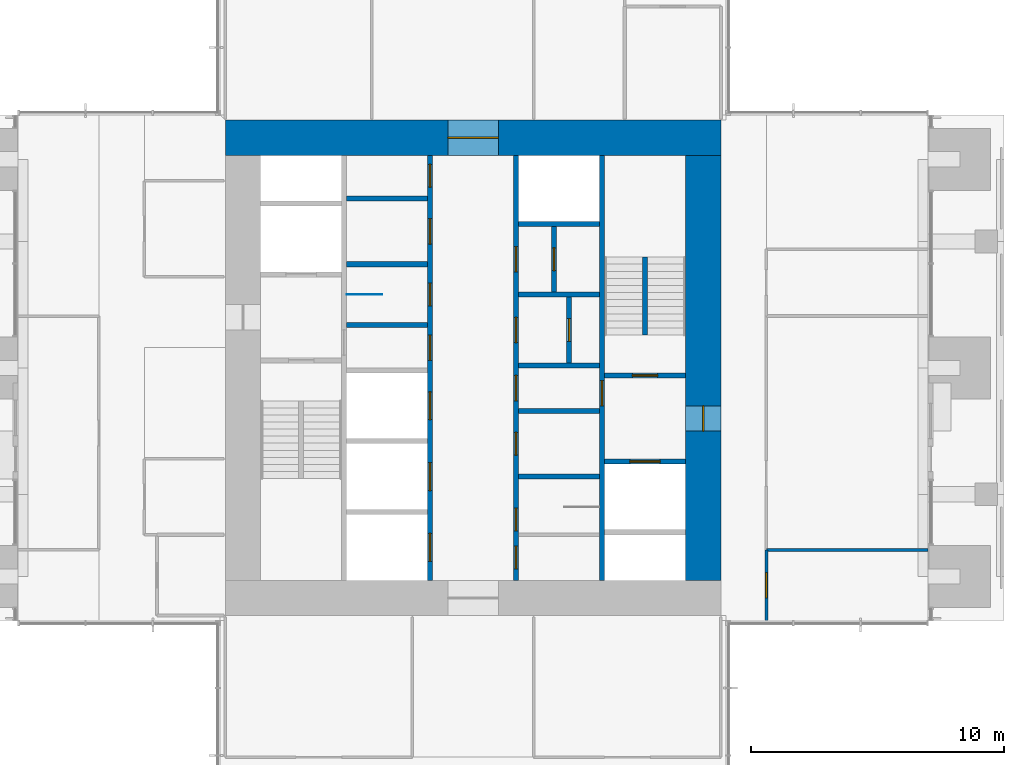
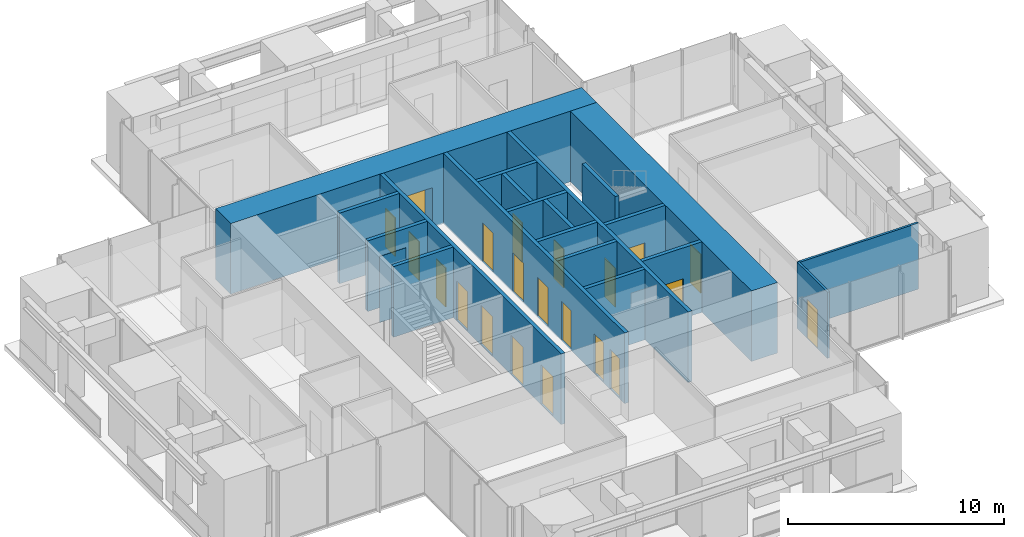
# One storey, part 13 of 17: 21 doors, 21 walls, 21 openings.
"""IFC4 building model written with IfcOpenShell, lengths in metres."""

from ifc_helpers import new_model, si_unit, direction, frame, frame_2d, origin, place, context, subcontext, project, spatial, rectangle, extrude, material, layer, layer_set, type_object, element, fill, save


model = new_model("IFC4")

# Units and contexts
model_context = context("Model", 3, precision=1e-05, world=origin(), true_north=direction((0.0, 1.0)))
body_context = subcontext(model_context, "Body", "Model", "MODEL_VIEW")
ifc_project = project(units=[si_unit("LENGTHUNIT", "METRE"), si_unit("AREAUNIT", "SQUARE_METRE"), si_unit("VOLUMEUNIT", "CUBIC_METRE"), si_unit("PLANEANGLEUNIT", "RADIAN"), si_unit("MASSUNIT", "GRAM", prefix="KILO")], contexts=[model_context])

# Site, building, storey
site_placement = place(None, origin())
site = spatial("IfcSite", under=ifc_project, at=site_placement, CompositionType="ELEMENT")
building_placement = place(site_placement, origin())
building = spatial("IfcBuilding", under=site, at=building_placement, Name="Svetlomir Tower", CompositionType="ELEMENT")
storey_placement = place(building_placement, frame((0.0, 0.0, 210.5)))
storey = spatial("IfcBuildingStorey", under=building, at=storey_placement, Name="L50", CompositionType="ELEMENT", Elevation=210.5)

# Wall, openings, doors
ifc_material_1 = material(Name="Concrete C60/75", Category="concrete")
ifc_layer_1 = layer(ifc_material_1, 0.199951171875)
ifc_layer_set_1 = layer_set([ifc_layer_1], Name="Concrete C60/75")
wall_type_1 = type_object("IfcWallType", Name="CORE INNER WALL 200", PredefinedType="SHEAR", material=ifc_layer_set_1)
wall_1_placement = place(storey_placement, frame((19.300048828125, 12.60009765625, -0.050048828125), z_axis=(0.0, 0.0, 1.0), x_axis=(0.0, 1.0, 0.0)))
wall_1 = element("IfcWall", 1, at=wall_1_placement, inside=storey, type_object=wall_type_1, Name="Core inner wall 19.3 L50", PredefinedType="SHEAR", context=body_context, shape_type="SweptSolid", body=[
    extrude(rectangle(XDim=16.7998046875, YDim=0.199951171875, at=frame_2d((8.39990234375, 0.0))), origin(), (0.0, 0.0, 1.0), 4.0),
])
opening_1_placement = place(wall_1_placement, frame((8.699951171875, 0.0, 0.050048828125)))
opening_1 = element("IfcOpeningElement", 2, at=opening_1_placement, cuts=wall_1, Name="Opening DC", PredefinedType="OPENING", context=body_context, shape_type="SweptSolid", body=[
    extrude(rectangle(XDim=1.0, YDim=2.199951171875, at=frame_2d((0.5, 1.10009765625))), frame((0.0, 0.10986328125, 0.0), z_axis=(0.0, -1.0, 0.0), x_axis=(1.0, 0.0, 0.0)), (0.0, 0.0, 1.0), 0.219970703125),
])
opening_2_placement = place(wall_1_placement, frame((10.85009765625, 0.0, 0.050048828125)))
opening_2 = element("IfcOpeningElement", 3, at=opening_2_placement, cuts=wall_1, Name="Opening DW", PredefinedType="OPENING", context=body_context, shape_type="SweptSolid", body=[
    extrude(rectangle(XDim=0.89990234375, YDim=2.199951171875, at=frame_2d((0.449951171875, 1.10009765625))), frame((0.0, 0.10986328125, 0.0), z_axis=(0.0, -1.0, 0.0), x_axis=(1.0, 0.0, 0.0)), (0.0, 0.0, 1.0), 0.219970703125),
])
opening_3_placement = place(wall_1_placement, frame((13.300048828125, 0.0, 0.050048828125)))
opening_3 = element("IfcOpeningElement", 4, at=opening_3_placement, cuts=wall_1, Name="Opening DC", PredefinedType="OPENING", context=body_context, shape_type="SweptSolid", body=[
    extrude(rectangle(XDim=1.0, YDim=2.199951171875, at=frame_2d((0.5, 1.10009765625))), frame((0.0, 0.10986328125, 0.0), z_axis=(0.0, -1.0, 0.0), x_axis=(1.0, 0.0, 0.0)), (0.0, 0.0, 1.0), 0.219970703125),
])
opening_4_placement = place(wall_1_placement, frame((15.550048828125, 0.0, 0.050048828125)))
opening_4 = element("IfcOpeningElement", 5, at=opening_4_placement, cuts=wall_1, Name="Opening DW", PredefinedType="OPENING", context=body_context, shape_type="SweptSolid", body=[
    extrude(rectangle(XDim=0.89990234375, YDim=2.199951171875, at=frame_2d((0.449951171875, 1.10009765625))), frame((0.0, 0.10986328125, 0.0), z_axis=(0.0, -1.0, 0.0), x_axis=(1.0, 0.0, 0.0)), (0.0, 0.0, 1.0), 0.219970703125),
])
opening_5_placement = place(wall_1_placement, frame((0.75, 0.0, 0.050048828125)))
opening_5 = element("IfcOpeningElement", 6, at=opening_5_placement, cuts=wall_1, Name="Opening LD", PredefinedType="OPENING", context=body_context, shape_type="SweptSolid", body=[
    extrude(rectangle(XDim=1.10009765625, YDim=2.199951171875, at=frame_2d((0.550048828125, 1.10009765625))), frame((0.0, 0.10986328125, 0.0), z_axis=(0.0, -1.0, 0.0), x_axis=(1.0, 0.0, 0.0)), (0.0, 0.0, 1.0), 0.219970703125),
])
opening_6_placement = place(wall_1_placement, frame((3.550048828125, 0.0, 0.050048828125)))
opening_6 = element("IfcOpeningElement", 7, at=opening_6_placement, cuts=wall_1, Name="Opening LD", PredefinedType="OPENING", context=body_context, shape_type="SweptSolid", body=[
    extrude(rectangle(XDim=1.10009765625, YDim=2.199951171875, at=frame_2d((0.550048828125, 1.10009765625))), frame((0.0, 0.10986328125, 0.0), z_axis=(0.0, -1.0, 0.0), x_axis=(1.0, 0.0, 0.0)), (0.0, 0.0, 1.0), 0.219970703125),
])
opening_7_placement = place(wall_1_placement, frame((6.35009765625, 0.0, 0.050048828125)))
opening_7 = element("IfcOpeningElement", 8, at=opening_7_placement, cuts=wall_1, Name="Opening LD", PredefinedType="OPENING", context=body_context, shape_type="SweptSolid", body=[
    extrude(rectangle(XDim=1.10009765625, YDim=2.199951171875, at=frame_2d((0.550048828125, 1.10009765625))), frame((0.0, 0.10986328125, 0.0), z_axis=(0.0, -1.0, 0.0), x_axis=(1.0, 0.0, 0.0)), (0.0, 0.0, 1.0), 0.219970703125),
])
ifc_material_2 = material(Name="Timber fire door", Category="wood")
door_type_1 = type_object("IfcDoorType", Name="DOOR DC 1000x2200", OperationType="SINGLE_SWING_LEFT", PredefinedType="DOOR", material=ifc_material_2)
door_1_placement = place(opening_1_placement, origin())
door_1 = element("IfcDoor", 9, at=door_1_placement, inside=storey, type_object=door_type_1, Name="Core corridor west lobby door L50", OperationType="SINGLE_SWING_RIGHT", OverallHeight=2.199951171875, OverallWidth=1.0, PredefinedType="DOOR", context=body_context, shape_type="SweptSolid", body=[
    extrude(rectangle(XDim=1.0, YDim=2.199951171875, at=frame_2d((0.5, 1.10009765625))), frame((0.0, 0.02490234375, 0.0), z_axis=(0.0, -1.0, 0.0), x_axis=(1.0, 0.0, 0.0)), (0.0, 0.0, 1.0), 0.050048828125),
])
fill(opening_1, door_1)
door_2_placement = place(opening_3_placement, origin())
door_2 = element("IfcDoor", 10, at=door_2_placement, inside=storey, type_object=door_type_1, Name="Accessible WC door L50", OperationType="SINGLE_SWING_LEFT", OverallHeight=2.199951171875, OverallWidth=1.0, PredefinedType="DOOR", context=body_context, shape_type="SweptSolid", body=[
    extrude(rectangle(XDim=1.0, YDim=2.199951171875, at=frame_2d((0.5, 1.10009765625))), frame((0.0, 0.02490234375, 0.0), z_axis=(0.0, -1.0, 0.0), x_axis=(1.0, 0.0, 0.0)), (0.0, 0.0, 1.0), 0.050048828125),
])
fill(opening_3, door_2)
ifc_material_3 = material(Name="Timber fire door", Category="wood")
door_type_2 = type_object("IfcDoorType", Name="DOOR DW 900x2200", OperationType="SINGLE_SWING_LEFT", PredefinedType="DOOR", material=ifc_material_3)
door_3_placement = place(opening_2_placement, origin())
door_3 = element("IfcDoor", 11, at=door_3_placement, inside=storey, type_object=door_type_2, Name="Female WC door L50", OperationType="SINGLE_SWING_RIGHT", OverallHeight=2.199951171875, OverallWidth=0.89990234375, PredefinedType="DOOR", context=body_context, shape_type="SweptSolid", body=[
    extrude(rectangle(XDim=0.89990234375, YDim=2.199951171875, at=frame_2d((0.449951171875, 1.10009765625))), frame((0.0, 0.02490234375, 0.0), z_axis=(0.0, -1.0, 0.0), x_axis=(1.0, 0.0, 0.0)), (0.0, 0.0, 1.0), 0.050048828125),
])
fill(opening_2, door_3)
door_4_placement = place(opening_4_placement, origin())
door_4 = element("IfcDoor", 12, at=door_4_placement, inside=storey, type_object=door_type_2, Name="First aid room door L50", OperationType="SINGLE_SWING_RIGHT", OverallHeight=2.199951171875, OverallWidth=0.89990234375, PredefinedType="DOOR", context=body_context, shape_type="SweptSolid", body=[
    extrude(rectangle(XDim=0.89990234375, YDim=2.199951171875, at=frame_2d((0.449951171875, 1.10009765625))), frame((0.0, 0.02490234375, 0.0), z_axis=(0.0, -1.0, 0.0), x_axis=(1.0, 0.0, 0.0)), (0.0, 0.0, 1.0), 0.050048828125),
])
fill(opening_4, door_4)
ifc_material_4 = material(Name="Stainless steel landing door", Category="steel")
door_type_3 = type_object("IfcDoorType", Name="LIFT LANDING DOOR LD 1100x2200", OperationType="DOUBLE_DOOR_SLIDING", PredefinedType="DOOR", material=ifc_material_4)
door_5_placement = place(opening_5_placement, origin())
door_5 = element("IfcDoor", 13, at=door_5_placement, inside=storey, type_object=door_type_3, Name="Landing door lift LC1 L50", OperationType="DOUBLE_DOOR_SLIDING", OverallHeight=2.199951171875, OverallWidth=1.10009765625, PredefinedType="DOOR", context=body_context, shape_type="SweptSolid", body=[
    extrude(rectangle(XDim=1.10009765625, YDim=2.199951171875, at=frame_2d((0.550048828125, 1.10009765625))), frame((0.0, 0.02490234375, 0.0), z_axis=(0.0, -1.0, 0.0), x_axis=(1.0, 0.0, 0.0)), (0.0, 0.0, 1.0), 0.050048828125),
])
fill(opening_5, door_5)
door_6_placement = place(opening_6_placement, origin())
door_6 = element("IfcDoor", 14, at=door_6_placement, inside=storey, type_object=door_type_3, Name="Landing door lift LC2 L50", OperationType="DOUBLE_DOOR_SLIDING", OverallHeight=2.199951171875, OverallWidth=1.10009765625, PredefinedType="DOOR", context=body_context, shape_type="SweptSolid", body=[
    extrude(rectangle(XDim=1.10009765625, YDim=2.199951171875, at=frame_2d((0.550048828125, 1.10009765625))), frame((0.0, 0.02490234375, 0.0), z_axis=(0.0, -1.0, 0.0), x_axis=(1.0, 0.0, 0.0)), (0.0, 0.0, 1.0), 0.050048828125),
])
fill(opening_6, door_6)
door_7_placement = place(opening_7_placement, origin())
door_7 = element("IfcDoor", 15, at=door_7_placement, inside=storey, type_object=door_type_3, Name="Landing door lift LC3 L50", OperationType="DOUBLE_DOOR_SLIDING", OverallHeight=2.199951171875, OverallWidth=1.10009765625, PredefinedType="DOOR", context=body_context, shape_type="SweptSolid", body=[
    extrude(rectangle(XDim=1.10009765625, YDim=2.199951171875, at=frame_2d((0.550048828125, 1.10009765625))), frame((0.0, 0.02490234375, 0.0), z_axis=(0.0, -1.0, 0.0), x_axis=(1.0, 0.0, 0.0)), (0.0, 0.0, 1.0), 0.050048828125),
])
fill(opening_7, door_7)

wall_2_placement = place(storey_placement, frame((22.699951171875, 12.60009765625, -0.050048828125), z_axis=(0.0, 0.0, 1.0), x_axis=(0.0, 1.0, 0.0)))
wall_2 = element("IfcWall", 16, at=wall_2_placement, inside=storey, type_object=wall_type_1, Name="Core inner wall 22.7 L50", PredefinedType="SHEAR", context=body_context, shape_type="SweptSolid", body=[
    extrude(rectangle(XDim=16.7998046875, YDim=0.199951171875, at=frame_2d((8.39990234375, 0.0))), origin(), (0.0, 0.0, 1.0), 4.0),
])
opening_8_placement = place(wall_2_placement, frame((0.449951171875, 0.0, 0.050048828125)))
opening_8 = element("IfcOpeningElement", 17, at=opening_8_placement, cuts=wall_2, Name="Opening DW", PredefinedType="OPENING", context=body_context, shape_type="SweptSolid", body=[
    extrude(rectangle(XDim=0.89990234375, YDim=2.199951171875, at=frame_2d((0.449951171875, 1.10009765625))), frame((0.0, 0.10986328125, 0.0), z_axis=(0.0, -1.0, 0.0), x_axis=(1.0, 0.0, 0.0)), (0.0, 0.0, 1.0), 0.219970703125),
])
opening_9_placement = place(wall_2_placement, frame((7.10009765625, 0.0, 0.050048828125)))
opening_9 = element("IfcOpeningElement", 18, at=opening_9_placement, cuts=wall_2, Name="Opening DC", PredefinedType="OPENING", context=body_context, shape_type="SweptSolid", body=[
    extrude(rectangle(XDim=1.0, YDim=2.199951171875, at=frame_2d((0.5, 1.10009765625))), frame((0.0, 0.10986328125, 0.0), z_axis=(0.0, -1.0, 0.0), x_axis=(1.0, 0.0, 0.0)), (0.0, 0.0, 1.0), 0.219970703125),
])
opening_10_placement = place(wall_2_placement, frame((1.949951171875, 0.0, 0.050048828125)))
opening_10 = element("IfcOpeningElement", 19, at=opening_10_placement, cuts=wall_2, Name="Opening DW", PredefinedType="OPENING", context=body_context, shape_type="SweptSolid", body=[
    extrude(rectangle(XDim=0.89990234375, YDim=2.199951171875, at=frame_2d((0.449951171875, 1.10009765625))), frame((0.0, 0.10986328125, 0.0), z_axis=(0.0, -1.0, 0.0), x_axis=(1.0, 0.0, 0.0)), (0.0, 0.0, 1.0), 0.219970703125),
])
opening_11_placement = place(wall_2_placement, frame((4.949951171875, 0.0, 0.050048828125)))
opening_11 = element("IfcOpeningElement", 20, at=opening_11_placement, cuts=wall_2, Name="Opening DW", PredefinedType="OPENING", context=body_context, shape_type="SweptSolid", body=[
    extrude(rectangle(XDim=0.89990234375, YDim=2.199951171875, at=frame_2d((0.449951171875, 1.10009765625))), frame((0.0, 0.10986328125, 0.0), z_axis=(0.0, -1.0, 0.0), x_axis=(1.0, 0.0, 0.0)), (0.0, 0.0, 1.0), 0.219970703125),
])
opening_12_placement = place(wall_2_placement, frame((9.39990234375, 0.0, 0.050048828125)))
opening_12 = element("IfcOpeningElement", 21, at=opening_12_placement, cuts=wall_2, Name="Opening DC", PredefinedType="OPENING", context=body_context, shape_type="SweptSolid", body=[
    extrude(rectangle(XDim=1.0, YDim=2.199951171875, at=frame_2d((0.5, 1.10009765625))), frame((0.0, 0.10986328125, 0.0), z_axis=(0.0, -1.0, 0.0), x_axis=(1.0, 0.0, 0.0)), (0.0, 0.0, 1.0), 0.219970703125),
])
opening_13_placement = place(wall_2_placement, frame((12.199951171875, 0.0, 0.050048828125)))
opening_13 = element("IfcOpeningElement", 22, at=opening_13_placement, cuts=wall_2, Name="Opening DC", PredefinedType="OPENING", context=body_context, shape_type="SweptSolid", body=[
    extrude(rectangle(XDim=1.0, YDim=2.199951171875, at=frame_2d((0.5, 1.10009765625))), frame((0.0, 0.10986328125, 0.0), z_axis=(0.0, -1.0, 0.0), x_axis=(1.0, 0.0, 0.0)), (0.0, 0.0, 1.0), 0.219970703125),
])
door_8_placement = place(opening_9_placement, origin())
door_8 = element("IfcDoor", 23, at=door_8_placement, inside=storey, type_object=door_type_1, Name="Core corridor east lobby door L50", OperationType="SINGLE_SWING_LEFT", OverallHeight=2.199951171875, OverallWidth=1.0, PredefinedType="DOOR", context=body_context, shape_type="SweptSolid", body=[
    extrude(rectangle(XDim=1.0, YDim=2.199951171875, at=frame_2d((0.5, 1.10009765625))), frame((0.0, 0.02490234375, 0.0), z_axis=(0.0, -1.0, 0.0), x_axis=(1.0, 0.0, 0.0)), (0.0, 0.0, 1.0), 0.050048828125),
])
fill(opening_9, door_8)
door_9_placement = place(opening_12_placement, origin())
door_9 = element("IfcDoor", 24, at=door_9_placement, inside=storey, type_object=door_type_1, Name="Converted shaft BANK-E1 room door L50", OperationType="SINGLE_SWING_LEFT", OverallHeight=2.199951171875, OverallWidth=1.0, PredefinedType="DOOR", context=body_context, shape_type="SweptSolid", body=[
    extrude(rectangle(XDim=1.0, YDim=2.199951171875, at=frame_2d((0.5, 1.10009765625))), frame((0.0, 0.02490234375, 0.0), z_axis=(0.0, -1.0, 0.0), x_axis=(1.0, 0.0, 0.0)), (0.0, 0.0, 1.0), 0.050048828125),
])
fill(opening_12, door_9)
door_10_placement = place(opening_13_placement, origin())
door_10 = element("IfcDoor", 25, at=door_10_placement, inside=storey, type_object=door_type_1, Name="Converted shaft BANK-E2 room door L50", OperationType="SINGLE_SWING_LEFT", OverallHeight=2.199951171875, OverallWidth=1.0, PredefinedType="DOOR", context=body_context, shape_type="SweptSolid", body=[
    extrude(rectangle(XDim=1.0, YDim=2.199951171875, at=frame_2d((0.5, 1.10009765625))), frame((0.0, 0.02490234375, 0.0), z_axis=(0.0, -1.0, 0.0), x_axis=(1.0, 0.0, 0.0)), (0.0, 0.0, 1.0), 0.050048828125),
])
fill(opening_13, door_10)
door_11_placement = place(opening_8_placement, origin())
door_11 = element("IfcDoor", 26, at=door_11_placement, inside=storey, type_object=door_type_2, Name="Floor store door L50", OperationType="SINGLE_SWING_LEFT", OverallHeight=2.199951171875, OverallWidth=0.89990234375, PredefinedType="DOOR", context=body_context, shape_type="SweptSolid", body=[
    extrude(rectangle(XDim=0.89990234375, YDim=2.199951171875, at=frame_2d((0.449951171875, 1.10009765625))), frame((0.0, 0.02490234375, 0.0), z_axis=(0.0, -1.0, 0.0), x_axis=(1.0, 0.0, 0.0)), (0.0, 0.0, 1.0), 0.050048828125),
])
fill(opening_8, door_11)
door_12_placement = place(opening_10_placement, origin())
door_12 = element("IfcDoor", 27, at=door_12_placement, inside=storey, type_object=door_type_2, Name="Male WC door L50", OperationType="SINGLE_SWING_LEFT", OverallHeight=2.199951171875, OverallWidth=0.89990234375, PredefinedType="DOOR", context=body_context, shape_type="SweptSolid", body=[
    extrude(rectangle(XDim=0.89990234375, YDim=2.199951171875, at=frame_2d((0.449951171875, 1.10009765625))), frame((0.0, 0.02490234375, 0.0), z_axis=(0.0, -1.0, 0.0), x_axis=(1.0, 0.0, 0.0)), (0.0, 0.0, 1.0), 0.050048828125),
])
fill(opening_10, door_12)
door_13_placement = place(opening_11_placement, origin())
door_13 = element("IfcDoor", 28, at=door_13_placement, inside=storey, type_object=door_type_2, Name="Comms room door L50", OperationType="SINGLE_SWING_RIGHT", OverallHeight=2.199951171875, OverallWidth=0.89990234375, PredefinedType="DOOR", context=body_context, shape_type="SweptSolid", body=[
    extrude(rectangle(XDim=0.89990234375, YDim=2.199951171875, at=frame_2d((0.449951171875, 1.10009765625))), frame((0.0, 0.02490234375, 0.0), z_axis=(0.0, -1.0, 0.0), x_axis=(1.0, 0.0, 0.0)), (0.0, 0.0, 1.0), 0.050048828125),
])
fill(opening_11, door_13)

# Wall, opening, door
wall_3_placement = place(storey_placement, frame((26.10009765625, 12.60009765625, -0.050048828125), z_axis=(0.0, 0.0, 1.0), x_axis=(0.0, 1.0, 0.0)))
wall_3 = element("IfcWall", 29, at=wall_3_placement, inside=storey, type_object=wall_type_1, Name="Core inner wall 26.1 L50", PredefinedType="SHEAR", context=body_context, shape_type="SweptSolid", body=[
    extrude(rectangle(XDim=16.7998046875, YDim=0.199951171875, at=frame_2d((8.39990234375, 0.0))), origin(), (0.0, 0.0, 1.0), 4.0),
])
opening_14_placement = place(wall_3_placement, frame((6.89990234375, 0.0, 0.050048828125)))
opening_14 = element("IfcOpeningElement", 30, at=opening_14_placement, cuts=wall_3, Name="Opening DF", PredefinedType="OPENING", context=body_context, shape_type="SweptSolid", body=[
    extrude(rectangle(XDim=1.0, YDim=2.199951171875, at=frame_2d((0.5, 1.10009765625))), frame((0.0, 0.10986328125, 0.0), z_axis=(0.0, -1.0, 0.0), x_axis=(1.0, 0.0, 0.0)), (0.0, 0.0, 1.0), 0.219970703125),
])
ifc_material_5 = material(Name="Steel fire door", Category="steel")
door_type_4 = type_object("IfcDoorType", Name="DOOR DF 1000x2200", OperationType="SINGLE_SWING_LEFT", PredefinedType="DOOR", material=ifc_material_5)
door_14_placement = place(opening_14_placement, origin())
door_14 = element("IfcDoor", 31, at=door_14_placement, inside=storey, type_object=door_type_4, Name="Core corridor east door L50", OperationType="SINGLE_SWING_LEFT", OverallHeight=2.199951171875, OverallWidth=1.0, PredefinedType="DOOR", context=body_context, shape_type="SweptSolid", body=[
    extrude(rectangle(XDim=1.0, YDim=2.199951171875, at=frame_2d((0.5, 1.10009765625))), frame((0.0, 0.02490234375, 0.0), z_axis=(0.0, -1.0, 0.0), x_axis=(1.0, 0.0, 0.0)), (0.0, 0.0, 1.0), 0.050048828125),
])
fill(opening_14, door_14)

# Walls
for number, where, z_axis, x_axis, name in (
    (32, (16.0, 22.699951171875, -0.050048828125), (0.0, 0.0, 1.0), (1.0, 0.0, 0.0), "Core inner wall 16-19.2/22.7 L50"),
    (33, (16.0, 25.10009765625, -0.050048828125), (0.0, 0.0, 1.0), (1.0, 0.0, 0.0), "Core inner wall 16-19.2/25.1 L50"),
    (34, (16.0, 27.699951171875, -0.050048828125), (0.0, 0.0, 1.0), (1.0, 0.0, 0.0), "Core inner wall 16-19.2/27.7 L50"),
    (35, (22.800048828125, 16.699951171875, -0.050048828125), (0.0, 0.0, 1.0), (1.0, 0.0, 0.0), "Core inner wall 22.8-26/16.7 L50"),
    (36, (22.800048828125, 19.300048828125, -0.050048828125), (0.0, 0.0, 1.0), (1.0, 0.0, 0.0), "Core inner wall 22.8-26/19.3 L50"),
    (37, (22.800048828125, 21.10009765625, -0.050048828125), (0.0, 0.0, 1.0), (1.0, 0.0, 0.0), "Core inner wall 22.8-26/21.1 L50"),
    (38, (22.800048828125, 23.89990234375, -0.050048828125), (0.0, 0.0, 1.0), (1.0, 0.0, 0.0), "Core inner wall 22.8-26/23.9 L50"),
    (39, (22.800048828125, 26.699951171875, -0.050048828125), (0.0, 0.0, 1.0), (1.0, 0.0, 0.0), "Core inner wall 22.8-26/26.7 L50"),
):
    element("IfcWall", number, at=place(storey_placement, frame(where, z_axis=z_axis, x_axis=x_axis)), inside=storey, type_object=wall_type_1, Name=name, PredefinedType="SHEAR", context=body_context, shape_type="SweptSolid", body=[
        extrude(rectangle(XDim=3.199951171875, YDim=0.199951171875, at=frame_2d((1.60009765625, 0.0))), origin(), (0.0, 0.0, 1.0), 4.0),
    ])

# Wall, opening, door
wall_4_placement = place(storey_placement, frame((26.199951171875, 17.300048828125, -0.050048828125), z_axis=(0.0, 0.0, 1.0), x_axis=(1.0, 0.0, 0.0)))
wall_4 = element("IfcWall", 40, at=wall_4_placement, inside=storey, type_object=wall_type_1, Name="Core inner wall 26.2-29.4/17.3 L50", PredefinedType="SHEAR", context=body_context, shape_type="SweptSolid", body=[
    extrude(rectangle(XDim=3.199951171875, YDim=0.199951171875, at=frame_2d((1.60009765625, 0.0))), origin(), (0.0, 0.0, 1.0), 4.0),
])
opening_15_placement = place(wall_4_placement, frame((1.0, 0.0, 0.050048828125)))
opening_15 = element("IfcOpeningElement", 41, at=opening_15_placement, cuts=wall_4, Name="Opening LD3", PredefinedType="OPENING", context=body_context, shape_type="SweptSolid", body=[
    extrude(rectangle(XDim=1.199951171875, YDim=2.199951171875, at=frame_2d((0.60009765625, 1.10009765625))), frame((0.0, 0.10986328125, 0.0), z_axis=(0.0, -1.0, 0.0), x_axis=(1.0, 0.0, 0.0)), (0.0, 0.0, 1.0), 0.219970703125),
])
ifc_material_6 = material(Name="Stainless steel fire-rated landing door", Category="steel")
door_type_5 = type_object("IfcDoorType", Name="FIREFIGHTING LIFT LANDING DOOR LD3 1200x2200", OperationType="DOUBLE_DOOR_SLIDING", PredefinedType="DOOR", material=ifc_material_6)
door_15_placement = place(opening_15_placement, origin())
door_15 = element("IfcDoor", 42, at=door_15_placement, inside=storey, type_object=door_type_5, Name="Landing door lift FL2 L50", OperationType="DOUBLE_DOOR_SLIDING", OverallHeight=2.199951171875, OverallWidth=1.199951171875, PredefinedType="DOOR", context=body_context, shape_type="SweptSolid", body=[
    extrude(rectangle(XDim=1.199951171875, YDim=2.199951171875, at=frame_2d((0.60009765625, 1.10009765625))), frame((0.0, 0.02490234375, 0.0), z_axis=(0.0, -1.0, 0.0), x_axis=(1.0, 0.0, 0.0)), (0.0, 0.0, 1.0), 0.050048828125),
])
fill(opening_15, door_15)

wall_5_placement = place(storey_placement, frame((26.199951171875, 20.699951171875, -0.050048828125), z_axis=(0.0, 0.0, 1.0), x_axis=(1.0, 0.0, 0.0)))
wall_5 = element("IfcWall", 43, at=wall_5_placement, inside=storey, type_object=wall_type_1, Name="Core inner wall 26.2-29.4/20.7 L50", PredefinedType="SHEAR", context=body_context, shape_type="SweptSolid", body=[
    extrude(rectangle(XDim=3.199951171875, YDim=0.199951171875, at=frame_2d((1.60009765625, 0.0))), origin(), (0.0, 0.0, 1.0), 4.0),
])
opening_16_placement = place(wall_5_placement, frame((1.10009765625, 0.0, 0.050048828125)))
opening_16 = element("IfcOpeningElement", 44, at=opening_16_placement, cuts=wall_5, Name="Opening DF", PredefinedType="OPENING", context=body_context, shape_type="SweptSolid", body=[
    extrude(rectangle(XDim=1.0, YDim=2.199951171875, at=frame_2d((0.5, 1.10009765625))), frame((0.0, 0.10986328125, 0.0), z_axis=(0.0, -1.0, 0.0), x_axis=(1.0, 0.0, 0.0)), (0.0, 0.0, 1.0), 0.219970703125),
])
door_16_placement = place(opening_16_placement, origin())
door_16 = element("IfcDoor", 45, at=door_16_placement, inside=storey, type_object=door_type_4, Name="Stair S2 door L50", OperationType="SINGLE_SWING_LEFT", OverallHeight=2.199951171875, OverallWidth=1.0, PredefinedType="DOOR", context=body_context, shape_type="SweptSolid", body=[
    extrude(rectangle(XDim=1.0, YDim=2.199951171875, at=frame_2d((0.5, 1.10009765625))), frame((0.0, 0.02490234375, 0.0), z_axis=(0.0, -1.0, 0.0), x_axis=(1.0, 0.0, 0.0)), (0.0, 0.0, 1.0), 0.050048828125),
])
fill(opening_16, door_16)

wall_6_placement = place(storey_placement, frame((24.800048828125, 21.199951171875, -0.050048828125), z_axis=(0.0, 0.0, 1.0), x_axis=(0.0, 1.0, 0.0)))
wall_6 = element("IfcWall", 46, at=wall_6_placement, inside=storey, type_object=wall_type_1, Name="Core inner wall 24.8/21.2-23.8 L50", PredefinedType="SHEAR", context=body_context, shape_type="SweptSolid", body=[
    extrude(rectangle(XDim=2.60009765625, YDim=0.199951171875, at=frame_2d((1.300048828125, 0.0))), origin(), (0.0, 0.0, 1.0), 4.0),
])
opening_17_placement = place(wall_6_placement, frame((0.85009765625, 0.0, 0.050048828125)))
opening_17 = element("IfcOpeningElement", 47, at=opening_17_placement, cuts=wall_6, Name="Opening DW", PredefinedType="OPENING", context=body_context, shape_type="SweptSolid", body=[
    extrude(rectangle(XDim=0.89990234375, YDim=2.199951171875, at=frame_2d((0.449951171875, 1.10009765625))), frame((0.0, 0.10986328125, 0.0), z_axis=(0.0, -1.0, 0.0), x_axis=(1.0, 0.0, 0.0)), (0.0, 0.0, 1.0), 0.219970703125),
])
door_17_placement = place(opening_17_placement, origin())
door_17 = element("IfcDoor", 48, at=door_17_placement, inside=storey, type_object=door_type_2, Name="Converted shaft BANK-E1 back room door L50", OperationType="SINGLE_SWING_RIGHT", OverallHeight=2.199951171875, OverallWidth=0.89990234375, PredefinedType="DOOR", context=body_context, shape_type="SweptSolid", body=[
    extrude(rectangle(XDim=0.89990234375, YDim=2.199951171875, at=frame_2d((0.449951171875, 1.10009765625))), frame((0.0, 0.02490234375, 0.0), z_axis=(0.0, -1.0, 0.0), x_axis=(1.0, 0.0, 0.0)), (0.0, 0.0, 1.0), 0.050048828125),
])
fill(opening_17, door_17)

wall_7_placement = place(storey_placement, frame((24.199951171875, 24.0, -0.050048828125), z_axis=(0.0, 0.0, 1.0), x_axis=(0.0, 1.0, 0.0)))
wall_7 = element("IfcWall", 49, at=wall_7_placement, inside=storey, type_object=wall_type_1, Name="Core inner wall 24.2/24-26.6 L50", PredefinedType="SHEAR", context=body_context, shape_type="SweptSolid", body=[
    extrude(rectangle(XDim=2.60009765625, YDim=0.199951171875, at=frame_2d((1.300048828125, 0.0))), origin(), (0.0, 0.0, 1.0), 4.0),
])
opening_18_placement = place(wall_7_placement, frame((0.85009765625, 0.0, 0.050048828125)))
opening_18 = element("IfcOpeningElement", 50, at=opening_18_placement, cuts=wall_7, Name="Opening DW", PredefinedType="OPENING", context=body_context, shape_type="SweptSolid", body=[
    extrude(rectangle(XDim=0.89990234375, YDim=2.199951171875, at=frame_2d((0.449951171875, 1.10009765625))), frame((0.0, 0.10986328125, 0.0), z_axis=(0.0, -1.0, 0.0), x_axis=(1.0, 0.0, 0.0)), (0.0, 0.0, 1.0), 0.219970703125),
])
door_18_placement = place(opening_18_placement, origin())
door_18 = element("IfcDoor", 51, at=door_18_placement, inside=storey, type_object=door_type_2, Name="Converted shaft BANK-E2 back room door L50", OperationType="SINGLE_SWING_RIGHT", OverallHeight=2.199951171875, OverallWidth=0.89990234375, PredefinedType="DOOR", context=body_context, shape_type="SweptSolid", body=[
    extrude(rectangle(XDim=0.89990234375, YDim=2.199951171875, at=frame_2d((0.449951171875, 1.10009765625))), frame((0.0, 0.02490234375, 0.0), z_axis=(0.0, -1.0, 0.0), x_axis=(1.0, 0.0, 0.0)), (0.0, 0.0, 1.0), 0.050048828125),
])
fill(opening_18, door_18)

ifc_material_7 = material(Name="Concrete C60/75", Category="concrete")
ifc_layer_2 = layer(ifc_material_7, 1.39990234375)
ifc_layer_set_2 = layer_set([ifc_layer_2], Name="Concrete C60/75")
wall_type_2 = type_object("IfcWallType", Name="CORE WALL 1400", PredefinedType="SHEAR", material=ifc_layer_set_2)
wall_8_placement = place(storey_placement, frame((11.199951171875, 30.10009765625, -0.050048828125), z_axis=(0.0, 0.0, 1.0), x_axis=(1.0, 0.0, 0.0)))
wall_8 = element("IfcWall", 52, at=wall_8_placement, inside=storey, type_object=wall_type_2, Name="Core wall north L50", PredefinedType="SHEAR", context=body_context, shape_type="SweptSolid", body=[
    extrude(rectangle(XDim=19.60009765625, YDim=1.39990234375, at=frame_2d((9.800048828125, 0.0))), origin(), (0.0, 0.0, 1.0), 4.0),
])
opening_19_placement = place(wall_8_placement, frame((8.800048828125, 0.0, 0.050048828125)))
opening_19 = element("IfcOpeningElement", 53, at=opening_19_placement, cuts=wall_8, Name="Opening DL", PredefinedType="OPENING", context=body_context, shape_type="SweptSolid", body=[
    extrude(rectangle(XDim=2.0, YDim=2.199951171875, at=frame_2d((1.0, 1.10009765625))), frame((0.0, 0.7099609375, 0.0), z_axis=(0.0, -1.0, 0.0), x_axis=(1.0, 0.0, 0.0)), (0.0, 0.0, 1.0), 1.419921875),
])
ifc_material_8 = material(Name="Steel fire door", Category="steel")
door_type_6 = type_object("IfcDoorType", Name="DOOR DL 2000x2200", OperationType="DOUBLE_DOOR_SINGLE_SWING", PredefinedType="DOOR", material=ifc_material_8)
door_19_placement = place(opening_19_placement, origin())
door_19 = element("IfcDoor", 54, at=door_19_placement, inside=storey, type_object=door_type_6, Name="Lift lobby north door L50", OperationType="DOUBLE_DOOR_SINGLE_SWING", OverallHeight=2.199951171875, OverallWidth=2.0, PredefinedType="DOOR", context=body_context, shape_type="SweptSolid", body=[
    extrude(rectangle(XDim=2.0, YDim=2.199951171875, at=frame_2d((1.0, 1.10009765625))), frame((0.0, 0.02490234375, 0.0), z_axis=(0.0, -1.0, 0.0), x_axis=(1.0, 0.0, 0.0)), (0.0, 0.0, 1.0), 0.050048828125),
])
fill(opening_19, door_19)

wall_9_placement = place(storey_placement, frame((30.10009765625, 12.60009765625, -0.050048828125), z_axis=(0.0, 0.0, 1.0), x_axis=(0.0, 1.0, 0.0)))
wall_9 = element("IfcWall", 55, at=wall_9_placement, inside=storey, type_object=wall_type_2, Name="Core wall east L50", PredefinedType="SHEAR", context=body_context, shape_type="SweptSolid", body=[
    extrude(rectangle(XDim=16.7998046875, YDim=1.39990234375, at=frame_2d((8.39990234375, 0.0))), origin(), (0.0, 0.0, 1.0), 4.0),
])
opening_20_placement = place(wall_9_placement, frame((5.89990234375, 0.0, 0.050048828125)))
opening_20 = element("IfcOpeningElement", 56, at=opening_20_placement, cuts=wall_9, Name="Opening DF", PredefinedType="OPENING", context=body_context, shape_type="SweptSolid", body=[
    extrude(rectangle(XDim=1.0, YDim=2.199951171875, at=frame_2d((0.5, 1.10009765625))), frame((0.0, 0.7099609375, 0.0), z_axis=(0.0, -1.0, 0.0), x_axis=(1.0, 0.0, 0.0)), (0.0, 0.0, 1.0), 1.419921875),
])
door_20_placement = place(opening_20_placement, origin())
door_20 = element("IfcDoor", 57, at=door_20_placement, inside=storey, type_object=door_type_4, Name="Firefighting lobby east door L50", OperationType="SINGLE_SWING_LEFT", OverallHeight=2.199951171875, OverallWidth=1.0, PredefinedType="DOOR", context=body_context, shape_type="SweptSolid", body=[
    extrude(rectangle(XDim=1.0, YDim=2.199951171875, at=frame_2d((0.5, 1.10009765625))), frame((0.0, 0.02490234375, 0.0), z_axis=(0.0, -1.0, 0.0), x_axis=(1.0, 0.0, 0.0)), (0.0, 0.0, 1.0), 0.050048828125),
])
fill(opening_20, door_20)

ifc_material_9 = material(Name="Gypsum board on steel studs", Category="steel")
ifc_layer_3 = layer(ifc_material_9, 0.1201171875)
ifc_layer_set_3 = layer_set([ifc_layer_3], Name="Gypsum board on steel studs")
wall_type_3 = type_object("IfcWallType", Name="PARTITION 120", PredefinedType="PARTITIONING", material=ifc_layer_set_3)
wall_10_placement = place(storey_placement, frame((32.60009765625, 11.0, 0.0), z_axis=(0.0, 0.0, 1.0), x_axis=(0.0, 1.0, 0.0)))
wall_10 = element("IfcWall", 58, at=wall_10_placement, inside=storey, type_object=wall_type_3, Name="Partition L50", PredefinedType="PARTITIONING", context=body_context, shape_type="SweptSolid", body=[
    extrude(rectangle(XDim=2.800048828125, YDim=0.1201171875, at=frame_2d((1.39990234375, 0.0))), origin(), (0.0, 0.0, 1.0), 3.75),
])
opening_21_placement = place(wall_10_placement, frame((0.89990234375, 0.0, 0.0)))
opening_21 = element("IfcOpeningElement", 59, at=opening_21_placement, cuts=wall_10, Name="Opening DR", PredefinedType="OPENING", context=body_context, shape_type="SweptSolid", body=[
    extrude(rectangle(XDim=1.0, YDim=2.199951171875, at=frame_2d((0.5, 1.10009765625))), frame((0.0, 0.070068359375, 0.0), z_axis=(0.0, -1.0, 0.0), x_axis=(1.0, 0.0, 0.0)), (0.0, 0.0, 1.0), 0.14013671875),
])
ifc_material_10 = material(Name="Timber door, glazed side light", Category="wood")
door_type_7 = type_object("IfcDoorType", Name="DOOR DR 1000x2200", OperationType="SINGLE_SWING_LEFT", PredefinedType="DOOR", material=ifc_material_10)
door_21_placement = place(opening_21_placement, origin())
door_21 = element("IfcDoor", 60, at=door_21_placement, inside=storey, type_object=door_type_7, Name="Academy director office door L50", OperationType="SINGLE_SWING_LEFT", OverallHeight=2.199951171875, OverallWidth=1.0, PredefinedType="DOOR", context=body_context, shape_type="SweptSolid", body=[
    extrude(rectangle(XDim=1.0, YDim=2.199951171875, at=frame_2d((0.5, 1.10009765625))), frame((0.0, 0.02490234375, 0.0), z_axis=(0.0, -1.0, 0.0), x_axis=(1.0, 0.0, 0.0)), (0.0, 0.0, 1.0), 0.050048828125),
])
fill(opening_21, door_21)

# Walls
wall_11_placement = place(storey_placement, frame((32.60009765625, 13.800048828125, 0.0), z_axis=(0.0, 0.0, 1.0), x_axis=(1.0, 0.0, 0.0)))
element("IfcWall", 61, at=wall_11_placement, inside=storey, type_object=wall_type_3, Name="Partition L50", PredefinedType="PARTITIONING", context=body_context, shape_type="SweptSolid", body=[
    extrude(rectangle(XDim=6.39990234375, YDim=0.1201171875, at=frame_2d((3.199951171875, 0.0))), origin(), (0.0, 0.0, 1.0), 3.75),
])
ifc_material_11 = material(Name="Concrete C60/75", Category="concrete")
ifc_layer_4 = layer(ifc_material_11, 0.199951171875)
ifc_layer_set_4 = layer_set([ifc_layer_4], Name="Concrete C60/75")
wall_type_4 = type_object("IfcWallType", Name="STAIR SPINE WALL 200", PredefinedType="PARTITIONING", material=ifc_layer_set_4)
wall_12_placement = place(storey_placement, frame((27.800048828125, 22.300048828125, 0.0), z_axis=(0.0, 0.0, 1.0), x_axis=(0.0, 1.0, 0.0)))
element("IfcWall", 62, at=wall_12_placement, inside=storey, type_object=wall_type_4, Name="Stair S2 spine wall L50", PredefinedType="PARTITIONING", context=body_context, shape_type="SweptSolid", body=[
    extrude(rectangle(XDim=3.079833984375, YDim=0.199951171875, at=frame_2d((1.5400390625, 0.0))), origin(), (0.0, 0.0, 1.0), 4.0),
])
ifc_material_12 = material(Name="Compact laminate panel", Category="plastic")
ifc_layer_5 = layer(ifc_material_12, 0.030029296875)
ifc_layer_set_5 = layer_set([ifc_layer_5], Name="Compact laminate panel")
wall_type_5 = type_object("IfcWallType", Name="WC CUBICLE PARTITION 30", PredefinedType="PARTITIONING", material=ifc_layer_set_5)
wall_13_placement = place(storey_placement, frame((16.0, 23.89990234375, 0.0), z_axis=(0.0, 0.0, 1.0), x_axis=(1.0, 0.0, 0.0)))
element("IfcWall", 63, at=wall_13_placement, inside=storey, type_object=wall_type_5, Name="WC cubicle partition L50", PredefinedType="PARTITIONING", context=body_context, shape_type="SweptSolid", body=[
    extrude(rectangle(XDim=1.39990234375, YDim=0.030029296875, at=frame_2d((0.699951171875, 0.0))), origin(), (0.0, 0.0, 1.0), 3.75),
])

save(model, "model.ifc")
